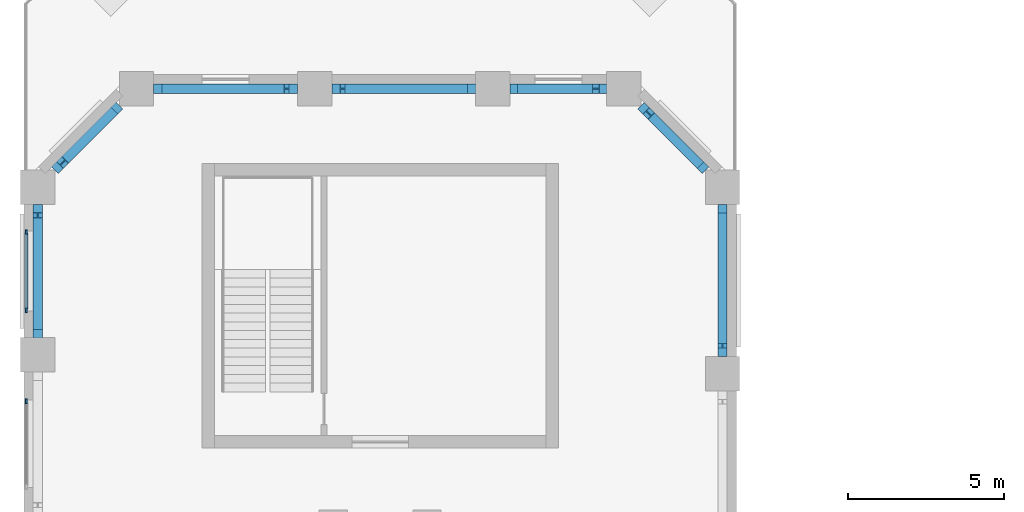
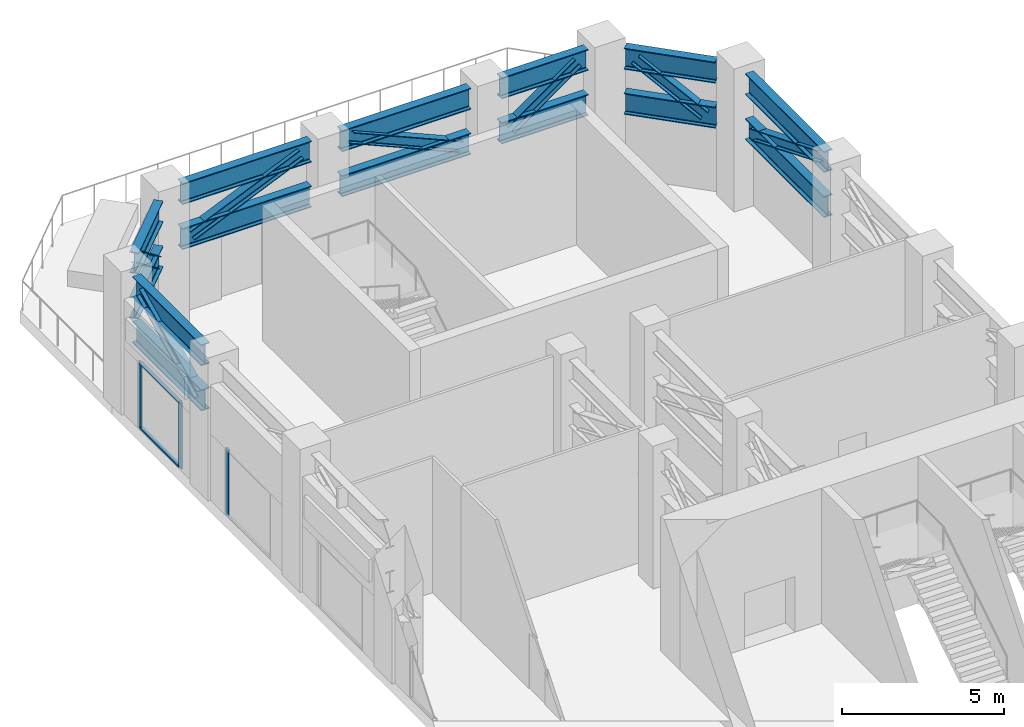
# One storey, part 8 of 21: 14 beams, 12 members, 2 elements without a shape of their own.
"""IFC4 building model written with IfcOpenShell, lengths in metres."""

from ifc_helpers import new_model, si_unit, direction, frame, origin, origin_2d, place, context, subcontext, project, spatial, rectangle, i_section, extrude, material, material_profile, profile_set, type_object, element, aggregate, save


model = new_model("IFC4")

# Units and contexts
model_context = context("Model", 3, precision=1e-05, world=origin(), true_north=direction((0.0, 1.0)))
body_context = subcontext(model_context, "Body", "Model", "MODEL_VIEW")
ifc_project = project(units=[si_unit("LENGTHUNIT", "METRE"), si_unit("AREAUNIT", "SQUARE_METRE"), si_unit("VOLUMEUNIT", "CUBIC_METRE"), si_unit("PLANEANGLEUNIT", "RADIAN"), si_unit("MASSUNIT", "GRAM", prefix="KILO")], contexts=[model_context])

# Site, building, storey
site_placement = place(None, origin())
site = spatial("IfcSite", under=ifc_project, at=site_placement, CompositionType="ELEMENT")
building_placement = place(site_placement, origin())
building = spatial("IfcBuilding", under=site, at=building_placement, Name="Meshkara Civic Tower", CompositionType="ELEMENT")
storey_placement = place(building_placement, frame((0.0, 0.0, 284.39990234375)))
storey = spatial("IfcBuildingStorey", under=building, at=storey_placement, Name="L65", CompositionType="ELEMENT", Elevation=284.39990234375)

# Beams
ifc_material_1 = material(Name="Steel S355", Category="steel")
ifc_material_profile_1 = material_profile(ifc_material_1, i_section(OverallWidth=0.300048828125, OverallDepth=0.800048828125, WebThickness=0.017578125, FlangeThickness=0.032958984375, FilletRadius=0.030029296875, at=origin_2d()))
ifc_profile_set_1 = profile_set([ifc_material_profile_1], Name="Steel S355")
beam_type = type_object("IfcBeamType", Name="Belt truss chord HEB 800 S355", PredefinedType="BEAM", material=ifc_profile_set_1)
for number, where, z_axis, x_axis, name in (
    (1, (22.35009765625, 51.39501953125, 4.7001953125), (0.0, 1.0, 0.0), (-1.0, 0.0, 0.0), "Belt truss chord BAE02-AEEP4"),
    (2, (22.35009765625, 51.39501953125, 3.0), (0.0, 1.0, 0.0), (-1.0, 0.0, 0.0), "Belt truss chord BAE02-AEEP4"),
):
    element("IfcBeam", number, at=place(storey_placement, frame(where, z_axis=z_axis, x_axis=x_axis)), inside=storey, type_object=beam_type, Name=name, PredefinedType="BEAM", context=body_context, shape_type="SweptSolid", body=[
        extrude(i_section(OverallWidth=0.300048828125, OverallDepth=0.800048828125, WebThickness=0.017578125, FlangeThickness=0.032958984375, FilletRadius=0.030029296875, at=origin_2d()), origin(), (0.0, 0.0, 1.0), 4.8740234375),
    ])
for number, where, z_axis, x_axis, name in (
    (3, (21.803466796875, 57.360595703125, 4.7001953125), (-0.707106781187, 0.707106781187, 0.0), (-0.707106781187, -0.707106781187, 0.0), "Belt truss chord BAEEP4-ATiEP4"),
    (4, (21.803466796875, 57.360595703125, 3.0), (-0.707106781187, 0.707106781187, 0.0), (-0.707106781187, -0.707106781187, 0.0), "Belt truss chord BAEEP4-ATiEP4"),
):
    element("IfcBeam", number, at=place(storey_placement, frame(where, z_axis=z_axis, x_axis=x_axis)), inside=storey, type_object=beam_type, Name=name, PredefinedType="BEAM", context=body_context, shape_type="SweptSolid", body=[
        extrude(i_section(OverallWidth=0.300048828125, OverallDepth=0.800048828125, WebThickness=0.017578125, FlangeThickness=0.032958984375, FilletRadius=0.030029296875, at=origin_2d()), origin(), (0.0, 0.0, 1.0), 2.91748046875),
    ])
for number, where, z_axis, x_axis, name in (
    (5, (18.64892578125, 59.969970703125, 4.7001953125), (-1.0, 0.0, 0.0), (0.0, -1.0, 0.0), "Belt truss chord BATiEP4-AT02-P4"),
    (6, (18.64892578125, 59.969970703125, 3.0), (-1.0, 0.0, 0.0), (0.0, -1.0, 0.0), "Belt truss chord BATiEP4-AT02-P4"),
):
    element("IfcBeam", number, at=place(storey_placement, frame(where, z_axis=z_axis, x_axis=x_axis)), inside=storey, type_object=beam_type, Name=name, PredefinedType="BEAM", context=body_context, shape_type="SweptSolid", body=[
        extrude(i_section(OverallWidth=0.300048828125, OverallDepth=0.800048828125, WebThickness=0.017578125, FlangeThickness=0.032958984375, FilletRadius=0.030029296875, at=origin_2d()), origin(), (0.0, 0.0, 1.0), 3.097900390625),
    ])
for number, where, z_axis, x_axis, name in (
    (7, (14.4609375, 59.969970703125, 4.7001953125), (-1.0, 0.0, 0.0), (0.0, -1.0, 0.0), "Belt truss chord BAT02-P4-AT01-P4"),
    (8, (14.4609375, 59.969970703125, 3.0), (-1.0, 0.0, 0.0), (0.0, -1.0, 0.0), "Belt truss chord BAT02-P4-AT01-P4"),
):
    element("IfcBeam", number, at=place(storey_placement, frame(where, z_axis=z_axis, x_axis=x_axis)), inside=storey, type_object=beam_type, Name=name, PredefinedType="BEAM", context=body_context, shape_type="SweptSolid", body=[
        extrude(i_section(OverallWidth=0.300048828125, OverallDepth=0.800048828125, WebThickness=0.017578125, FlangeThickness=0.032958984375, FilletRadius=0.030029296875, at=origin_2d()), origin(), (0.0, 0.0, 1.0), 4.60986328125),
    ])
for number, where, z_axis, x_axis, name in (
    (9, (8.760986328125, 59.969970703125, 4.7001953125), (-1.0, 0.0, 0.0), (0.0, -1.0, 0.0), "Belt truss chord BAT01-P4-AT00-P4"),
    (10, (8.760986328125, 59.969970703125, 3.0), (-1.0, 0.0, 0.0), (0.0, -1.0, 0.0), "Belt truss chord BAT01-P4-AT00-P4"),
):
    element("IfcBeam", number, at=place(storey_placement, frame(where, z_axis=z_axis, x_axis=x_axis)), inside=storey, type_object=beam_type, Name=name, PredefinedType="BEAM", context=body_context, shape_type="SweptSolid", body=[
        extrude(i_section(OverallWidth=0.300048828125, OverallDepth=0.800048828125, WebThickness=0.017578125, FlangeThickness=0.032958984375, FilletRadius=0.030029296875, at=origin_2d()), origin(), (0.0, 0.0, 1.0), 4.610107421875),
    ])
for number, where, z_axis, x_axis, name in (
    (11, (3.0595703125, 59.423583984375, 4.7001953125), (-0.707106781187, -0.707106781187, 0.0), (0.707106781187, -0.707106781187, 0.0), "Belt truss chord BAT00-P4-ATo00-P4"),
    (12, (3.0595703125, 59.423583984375, 3.0), (-0.707106781187, -0.707106781187, 0.0), (0.707106781187, -0.707106781187, 0.0), "Belt truss chord BAT00-P4-ATo00-P4"),
):
    element("IfcBeam", number, at=place(storey_placement, frame(where, z_axis=z_axis, x_axis=x_axis)), inside=storey, type_object=beam_type, Name=name, PredefinedType="BEAM", context=body_context, shape_type="SweptSolid", body=[
        extrude(i_section(OverallWidth=0.300048828125, OverallDepth=0.800048828125, WebThickness=0.017578125, FlangeThickness=0.032958984375, FilletRadius=0.030029296875, at=origin_2d()), origin(), (0.0, 0.0, 1.0), 2.91748046875),
    ])
for number, where, z_axis, x_axis, name in (
    (13, (0.449951171875, 56.26904296875, 4.7001953125), (0.0, -1.0, 0.0), (1.0, 0.0, 0.0), "Belt truss chord BATo00-P4-AW06"),
    (14, (0.449951171875, 56.26904296875, 3.0), (0.0, -1.0, 0.0), (1.0, 0.0, 0.0), "Belt truss chord BATo00-P4-AW06"),
):
    element("IfcBeam", number, at=place(storey_placement, frame(where, z_axis=z_axis, x_axis=x_axis)), inside=storey, type_object=beam_type, Name=name, PredefinedType="BEAM", context=body_context, shape_type="SweptSolid", body=[
        extrude(i_section(OverallWidth=0.300048828125, OverallDepth=0.800048828125, WebThickness=0.017578125, FlangeThickness=0.032958984375, FilletRadius=0.030029296875, at=origin_2d()), origin(), (0.0, 0.0, 1.0), 4.26904296875),
    ])

# Curtain wall, members
ifc_material_2 = material(Name="Tinted double glazing", Category="glass")
curtain_wall_type = type_object("IfcCurtainWallType", Name="CW SKY LOBBY BAND", PredefinedType="NOTDEFINED", material=ifc_material_2)
curtain_wall_1_placement = place(storey_placement, origin())
curtain_wall_1 = element("IfcCurtainWall", 15, at=curtain_wall_1_placement, inside=storey, type_object=curtain_wall_type, Name="Curtain wall CW2", PredefinedType="NOTDEFINED")
ifc_material_3 = material(Name="Bronze anodised aluminium", Category="aluminium")
ifc_material_profile_2 = material_profile(ifc_material_3, rectangle(XDim=0.06005859375, YDim=0.159912109375, at=origin_2d()))
ifc_profile_set_2 = profile_set([ifc_material_profile_2], Name="Bronze anodised aluminium")
member_type_1 = type_object("IfcMemberType", Name="CW MULLION 60x160", PredefinedType="MULLION", material=ifc_profile_set_2)
member_1_placement = place(storey_placement, frame((0.080078125, 55.382080078125, 0.0), z_axis=(0.0, 0.0, 1.0), x_axis=(1.0, 0.0, 0.0)))
member_1 = element("IfcMember", 16, at=member_1_placement, type_object=member_type_1, Name="CW2 mullion 1", PredefinedType="MULLION", context=body_context, shape_type="SweptSolid", body=[
    extrude(rectangle(XDim=0.06005859375, YDim=0.159912109375, at=origin_2d()), origin(), (0.0, 0.0, 1.0), 2.5),
])
member_2_placement = place(storey_placement, frame((0.080078125, 52.886962890625, 0.0), z_axis=(0.0, 0.0, 1.0), x_axis=(1.0, 0.0, 0.0)))
member_2 = element("IfcMember", 17, at=member_2_placement, type_object=member_type_1, Name="CW2 mullion 2", PredefinedType="MULLION", context=body_context, shape_type="SweptSolid", body=[
    extrude(rectangle(XDim=0.06005859375, YDim=0.159912109375, at=origin_2d()), origin(), (0.0, 0.0, 1.0), 2.5),
])

# Curtain wall, member
curtain_wall_2_placement = place(storey_placement, origin())
curtain_wall_2 = element("IfcCurtainWall", 18, at=curtain_wall_2_placement, inside=storey, type_object=curtain_wall_type, Name="Curtain wall CW2", PredefinedType="NOTDEFINED")
member_3_placement = place(storey_placement, frame((0.080078125, 49.97509765625, 0.0), z_axis=(0.0, 0.0, 1.0), x_axis=(1.0, 0.0, 0.0)))
member_3 = element("IfcMember", 19, at=member_3_placement, type_object=member_type_1, Name="CW2 mullion 1", PredefinedType="MULLION", context=body_context, shape_type="SweptSolid", body=[
    extrude(rectangle(XDim=0.06005859375, YDim=0.159912109375, at=origin_2d()), origin(), (0.0, 0.0, 1.0), 2.5),
])
aggregate(curtain_wall_2, [member_3])

# Member
ifc_material_4 = material(Name="Bronze anodised aluminium", Category="aluminium")
ifc_material_profile_3 = material_profile(ifc_material_4, rectangle(XDim=0.1201171875, YDim=0.06005859375, at=origin_2d()))
ifc_profile_set_3 = profile_set([ifc_material_profile_3], Name="Bronze anodised aluminium")
member_type_2 = type_object("IfcMemberType", Name="CW TRANSOM 60x120", PredefinedType="USERDEFINED", material=ifc_profile_set_3)
member_4_placement = place(storey_placement, frame((0.080078125, 55.35205078125, 0.030029296875), z_axis=(0.0, -1.0, 0.0), x_axis=(1.0, 0.0, 0.0)))
member_4 = element("IfcMember", 20, at=member_4_placement, type_object=member_type_2, Name="CW2 transom 1.1", ObjectType="TRANSOM", PredefinedType="USERDEFINED", context=body_context, shape_type="SweptSolid", body=[
    extrude(rectangle(XDim=0.1201171875, YDim=0.06005859375, at=origin_2d()), origin(), (0.0, 0.0, 1.0), 2.43505859375),
])

member_5_placement = place(storey_placement, frame((0.080078125, 55.35205078125, 2.47021484375), z_axis=(0.0, -1.0, 0.0), x_axis=(1.0, 0.0, 0.0)))
member_5 = element("IfcMember", 21, at=member_5_placement, type_object=member_type_2, Name="CW2 transom 1.2", ObjectType="TRANSOM", PredefinedType="USERDEFINED", context=body_context, shape_type="SweptSolid", body=[
    extrude(rectangle(XDim=0.1201171875, YDim=0.06005859375, at=origin_2d()), origin(), (0.0, 0.0, 1.0), 2.43505859375),
])

aggregate(curtain_wall_1, [member_1, member_2, member_4, member_5])

# Members
ifc_material_5 = material(Name="Steel S355", Category="steel")
ifc_material_profile_4 = material_profile(ifc_material_5, i_section(OverallWidth=0.300048828125, OverallDepth=0.39990234375, WebThickness=0.013427734375, FlangeThickness=0.02392578125, FilletRadius=0.027099609375, at=origin_2d()))
ifc_profile_set_4 = profile_set([ifc_material_profile_4], Name="Steel S355")
member_type_3 = type_object("IfcMemberType", Name="Truss diagonal HEB 400 S355", PredefinedType="BRACE", material=ifc_profile_set_4)
member_6_placement = place(storey_placement, frame((22.35009765625, 51.7451171875, 4.7001953125), z_axis=(0.0, 0.926111987634, -0.37724870624), x_axis=(-1.0, 0.0, 0.0)))
element("IfcMember", 22, at=member_6_placement, inside=storey, type_object=member_type_3, Name="TD-BAE02-AEEP4-L65", PredefinedType="BRACE", context=body_context, shape_type="SweptSolid", body=[
    extrude(i_section(OverallWidth=0.300048828125, OverallDepth=0.39990234375, WebThickness=0.013427734375, FlangeThickness=0.02392578125, FilletRadius=0.027099609375, at=origin_2d()), origin(), (0.0, 0.0, 1.0), 4.5068359375),
])
member_7_placement = place(storey_placement, frame((21.555908203125, 57.60791015625, 3.0), z_axis=(-0.56110493329, 0.561192305594, 0.608460721805), x_axis=(-0.707161828229, -0.707051729859, 0.0)))
element("IfcMember", 23, at=member_7_placement, inside=storey, type_object=member_type_3, Name="TD-BAEEP4-ATiEP4-L65", PredefinedType="BRACE", context=body_context, shape_type="SweptSolid", body=[
    extrude(i_section(OverallWidth=0.300048828125, OverallDepth=0.39990234375, WebThickness=0.013427734375, FlangeThickness=0.02392578125, FilletRadius=0.027099609375, at=origin_2d()), origin(), (0.0, 0.0, 1.0), 2.794189453125),
])
member_8_placement = place(storey_placement, frame((18.299072265625, 59.969970703125, 4.7001953125), z_axis=(-0.815787747802, 0.0, -0.578351407482), x_axis=(0.0, -1.0, 0.0)))
element("IfcMember", 24, at=member_8_placement, inside=storey, type_object=member_type_3, Name="TD-BATiEP4-AT02-P4-L65", PredefinedType="BRACE", context=body_context, shape_type="SweptSolid", body=[
    extrude(i_section(OverallWidth=0.300048828125, OverallDepth=0.39990234375, WebThickness=0.013427734375, FlangeThickness=0.02392578125, FilletRadius=0.027099609375, at=origin_2d()), origin(), (0.0, 0.0, 1.0), 2.939697265625),
])
member_9_placement = place(storey_placement, frame((14.111083984375, 59.969970703125, 3.0), z_axis=(-0.917059132106, 0.0, 0.398751236013), x_axis=(0.0, -1.0, 0.0)))
element("IfcMember", 25, at=member_9_placement, inside=storey, type_object=member_type_3, Name="TD-BAT02-P4-AT01-P4-L65", PredefinedType="BRACE", context=body_context, shape_type="SweptSolid", body=[
    extrude(i_section(OverallWidth=0.300048828125, OverallDepth=0.39990234375, WebThickness=0.013427734375, FlangeThickness=0.02392578125, FilletRadius=0.027099609375, at=origin_2d()), origin(), (0.0, 0.0, 1.0), 4.263916015625),
])
member_10_placement = place(storey_placement, frame((8.410888671875, 59.969970703125, 4.7001953125), z_axis=(-0.917050027072, 0.0, -0.398772175368), x_axis=(0.0, -1.0, 0.0)))
element("IfcMember", 26, at=member_10_placement, inside=storey, type_object=member_type_3, Name="TD-BAT01-P4-AT00-P4-L65", PredefinedType="BRACE", context=body_context, shape_type="SweptSolid", body=[
    extrude(i_section(OverallWidth=0.300048828125, OverallDepth=0.39990234375, WebThickness=0.013427734375, FlangeThickness=0.02392578125, FilletRadius=0.027099609375, at=origin_2d()), origin(), (0.0, 0.0, 1.0), 4.263671875),
])
member_11_placement = place(storey_placement, frame((2.81201171875, 59.176025390625, 3.0), z_axis=(-0.561164793005, -0.561164793005, 0.608430891871), x_axis=(0.707106781187, -0.707106781187, 0.0)))
element("IfcMember", 27, at=member_11_placement, inside=storey, type_object=member_type_3, Name="TD-BAT00-P4-ATo00-P4-L65", PredefinedType="BRACE", context=body_context, shape_type="SweptSolid", body=[
    extrude(i_section(OverallWidth=0.300048828125, OverallDepth=0.39990234375, WebThickness=0.013427734375, FlangeThickness=0.02392578125, FilletRadius=0.027099609375, at=origin_2d()), origin(), (0.0, 0.0, 1.0), 2.79443359375),
])
member_12_placement = place(storey_placement, frame((0.449951171875, 55.9189453125, 4.7001953125), z_axis=(0.0, -0.902787445688, -0.430087000395), x_axis=(1.0, 0.0, 0.0)))
element("IfcMember", 28, at=member_12_placement, inside=storey, type_object=member_type_3, Name="TD-BATo00-P4-AW06-L65", PredefinedType="BRACE", context=body_context, shape_type="SweptSolid", body=[
    extrude(i_section(OverallWidth=0.300048828125, OverallDepth=0.39990234375, WebThickness=0.013427734375, FlangeThickness=0.02392578125, FilletRadius=0.027099609375, at=origin_2d()), origin(), (0.0, 0.0, 1.0), 3.953125),
])

save(model, "model.ifc")
